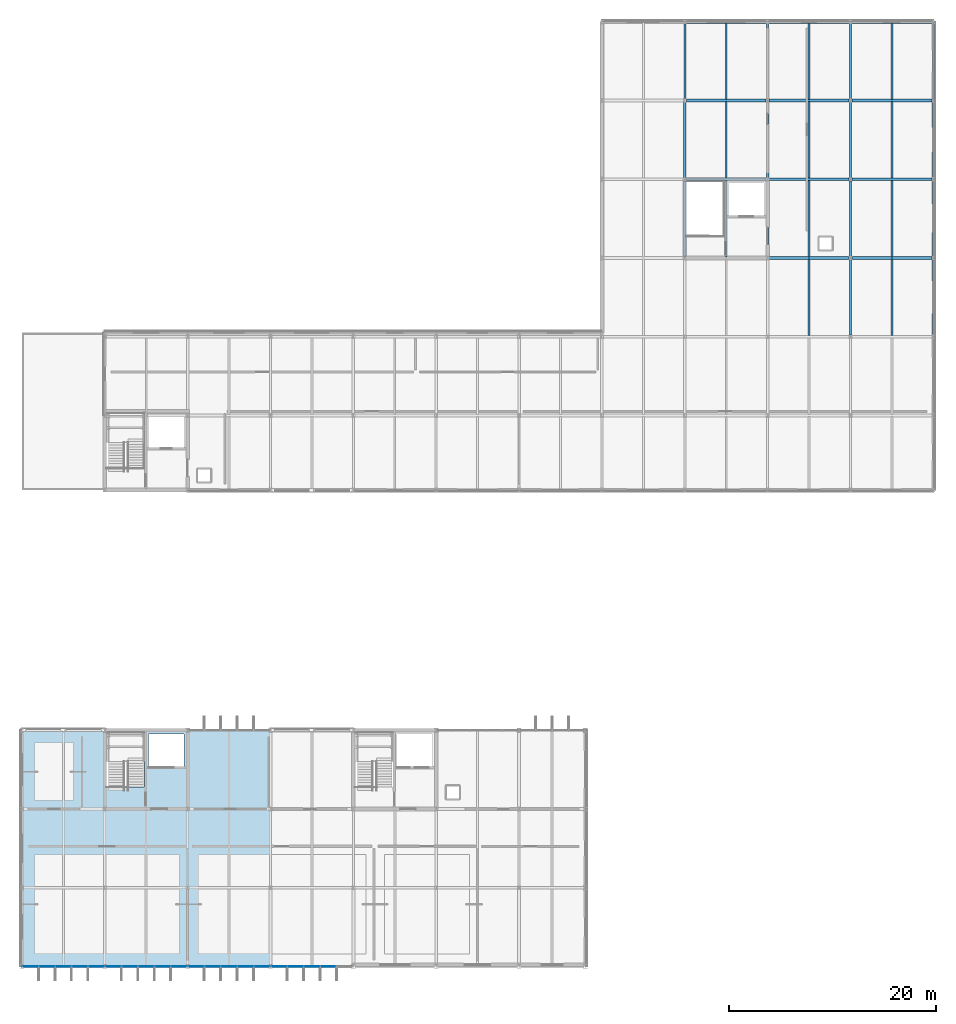
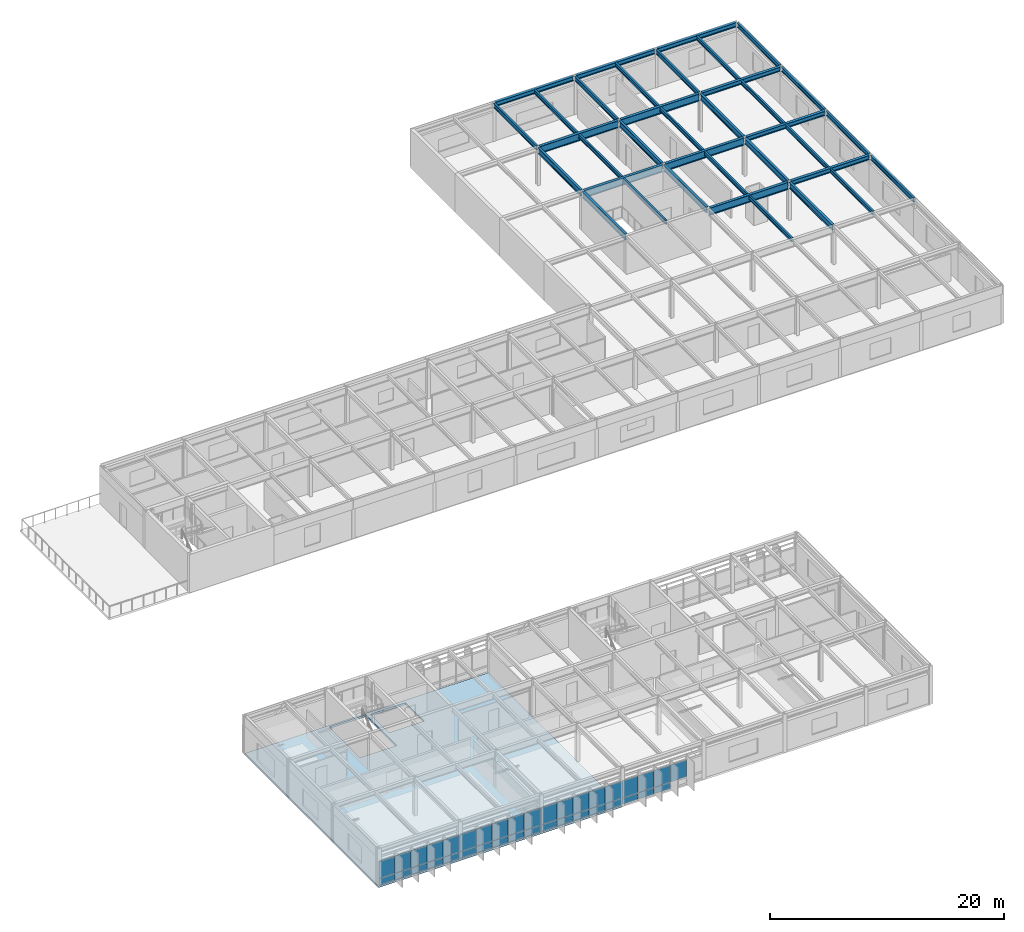
# One storey, part 21 of 33: 37 plates, 36 beams, 1 slab, 4 elements without a shape of their own.
"""IFC4 building model written with IfcOpenShell, lengths in metres."""

from ifc_helpers import new_model, si_unit, direction, frame, origin, origin_2d, place, context, subcontext, project, spatial, polyline, rectangle, i_section, outline, extrude, material, layer, layer_set, material_profile, profile_set, type_object, element, aggregate, save


model = new_model("IFC4")

# Units and contexts
model_context = context("Model", 3, precision=1e-05, world=origin(), true_north=direction((0.0, 1.0)))
body_context = subcontext(model_context, "Body", "Model", "MODEL_VIEW")
ifc_project = project(units=[si_unit("LENGTHUNIT", "METRE"), si_unit("AREAUNIT", "SQUARE_METRE"), si_unit("VOLUMEUNIT", "CUBIC_METRE"), si_unit("PLANEANGLEUNIT", "RADIAN"), si_unit("MASSUNIT", "GRAM", prefix="KILO")], contexts=[model_context])

# Site, building, storey
site_placement = place(None, origin())
site = spatial("IfcSite", under=ifc_project, at=site_placement, CompositionType="ELEMENT")
building_placement = place(site_placement, origin())
building = spatial("IfcBuilding", under=site, at=building_placement, Name="Zulena Civic Courthouse", CompositionType="ELEMENT")
storey_placement = place(building_placement, frame((0.0, 0.0, 33.60009765625)))
storey = spatial("IfcBuildingStorey", under=building, at=storey_placement, Name="L07", CompositionType="ELEMENT", Elevation=33.60009765625)

# Beams
ifc_material_1 = material(Name="Steel ASTM A992 Grade 50", Category="steel")
ifc_material_profile_1 = material_profile(ifc_material_1, i_section(OverallWidth=0.22998046875, OverallDepth=0.616943359375, WebThickness=0.01318359375, FlangeThickness=0.022216796875, FilletRadius=0.0126953125, at=origin_2d()), Name="W24X94")
ifc_profile_set_1 = profile_set([ifc_material_profile_1], Name="Steel ASTM A992 Grade 50")
beam_type_1 = type_object("IfcBeamType", Name="Girder_W24X94", PredefinedType="BEAM", material=ifc_profile_set_1)
for number, where, z_axis, x_axis, name in (
    (1, (76.0, 68.544921875, 3.6865234375), (0.0, 1.0, 0.0), (-1.0, 0.0, 0.0), "beam:Y:V5:L07:76.0:68.4_76.0"),
    (2, (76.0, 76.14501953125, 3.6865234375), (0.0, 1.0, 0.0), (-1.0, 0.0, 0.0), "beam:Y:V5:L07:76.0:76.0_83.6"),
    (3, (84.0, 68.544921875, 3.6865234375), (0.0, 1.0, 0.0), (-1.0, 0.0, 0.0), "beam:Y:V5:L07:84.0:68.4_76.0"),
    (4, (84.0, 76.14501953125, 3.6865234375), (0.0, 1.0, 0.0), (-1.0, 0.0, 0.0), "beam:Y:V5:L07:84.0:76.0_83.6"),
):
    element("IfcBeam", number, at=place(storey_placement, frame(where, z_axis=z_axis, x_axis=x_axis)), inside=storey, type_object=beam_type_1, Name=name, PredefinedType="BEAM", context=body_context, shape_type="SweptSolid", body=[
        extrude(i_section(OverallWidth=0.22998046875, OverallDepth=0.616943359375, WebThickness=0.01318359375, FlangeThickness=0.022216796875, FilletRadius=0.0126953125, at=origin_2d()), origin(), (0.0, 0.0, 1.0), 7.31005859375),
    ])
beam_1_placement = place(storey_placement, frame((92.0, 60.945068359375, 3.6865234375), z_axis=(0.0, 1.0, 0.0), x_axis=(-1.0, 0.0, 0.0)))
element("IfcBeam", 5, at=beam_1_placement, inside=storey, type_object=beam_type_1, Name="beam:Y:V5:L07:92.0:60.8_68.4", PredefinedType="BEAM", context=body_context, shape_type="SweptSolid", body=[
    extrude(i_section(OverallWidth=0.22998046875, OverallDepth=0.616943359375, WebThickness=0.01318359375, FlangeThickness=0.022216796875, FilletRadius=0.0126953125, at=origin_2d()), origin(), (0.0, 0.0, 1.0), 7.309814453125),
])
for number, where, z_axis, x_axis, name in (
    (6, (92.0, 68.544921875, 3.6865234375), (0.0, 1.0, 0.0), (-1.0, 0.0, 0.0), "beam:Y:V5:L07:92.0:68.4_76.0"),
    (7, (92.0, 76.14501953125, 3.6865234375), (0.0, 1.0, 0.0), (-1.0, 0.0, 0.0), "beam:Y:V5:L07:92.0:76.0_83.6"),
):
    element("IfcBeam", number, at=place(storey_placement, frame(where, z_axis=z_axis, x_axis=x_axis)), inside=storey, type_object=beam_type_1, Name=name, PredefinedType="BEAM", context=body_context, shape_type="SweptSolid", body=[
        extrude(i_section(OverallWidth=0.22998046875, OverallDepth=0.616943359375, WebThickness=0.01318359375, FlangeThickness=0.022216796875, FilletRadius=0.0126953125, at=origin_2d()), origin(), (0.0, 0.0, 1.0), 7.31005859375),
    ])
ifc_material_profile_2 = material_profile(ifc_material_1, i_section(OverallWidth=0.26708984375, OverallDepth=0.761962890625, WebThickness=0.014404296875, FlangeThickness=0.021484375, FilletRadius=0.0166015625, at=origin_2d()), Name="W30X116")
ifc_profile_set_2 = profile_set([ifc_material_profile_2], Name="Steel ASTM A992 Grade 50")
beam_type_2 = type_object("IfcBeamType", Name="Girder_W30X116", PredefinedType="BEAM", material=ifc_profile_set_2)
for number, where, z_axis, x_axis, name in (
    (8, (84.14501953125, 68.39990234375, 3.614013671875), (1.0, 0.0, 0.0), (0.0, 1.0, 0.0), "beam:X:V5:L07:68.4:84.0_92.0"),
    (9, (76.14501953125, 76.0, 3.614013671875), (1.0, 0.0, 0.0), (0.0, 1.0, 0.0), "beam:X:V5:L07:76.0:76.0_84.0"),
    (10, (84.14501953125, 76.0, 3.614013671875), (1.0, 0.0, 0.0), (0.0, 1.0, 0.0), "beam:X:V5:L07:76.0:84.0_92.0"),
    (11, (76.14501953125, 83.60009765625, 3.614013671875), (1.0, 0.0, 0.0), (0.0, 1.0, 0.0), "beam:X:V5:L07:83.6:76.0_84.0"),
    (12, (84.14501953125, 83.60009765625, 3.614013671875), (1.0, 0.0, 0.0), (0.0, 1.0, 0.0), "beam:X:V5:L07:83.6:84.0_92.0"),
):
    element("IfcBeam", number, at=place(storey_placement, frame(where, z_axis=z_axis, x_axis=x_axis)), inside=storey, type_object=beam_type_2, Name=name, PredefinedType="BEAM", context=body_context, shape_type="SweptSolid", body=[
        extrude(i_section(OverallWidth=0.26708984375, OverallDepth=0.761962890625, WebThickness=0.014404296875, FlangeThickness=0.021484375, FilletRadius=0.0166015625, at=origin_2d()), origin(), (0.0, 0.0, 1.0), 7.7099609375),
    ])
ifc_material_profile_3 = material_profile(ifc_material_1, i_section(OverallWidth=0.180908203125, OverallDepth=0.4169921875, WebThickness=0.010986328125, FlangeThickness=0.018310546875, FilletRadius=0.01025390625, at=origin_2d()), Name="W16X57")
ifc_profile_set_3 = profile_set([ifc_material_profile_3], Name="Steel ASTM A992 Grade 50")
beam_type_3 = type_object("IfcBeamType", Name="Joist_W16X57", PredefinedType="JOIST", material=ifc_profile_set_3)
for number, where, z_axis, x_axis, name in (
    (13, (80.0, 68.5048828125, 3.786376953125), (0.0, 1.0, 0.0), (-1.0, 0.0, 0.0), "joist:V5:L07:80.00:68.4_76.0"),
    (14, (80.0, 76.10498046875, 3.786376953125), (0.0, 1.0, 0.0), (-1.0, 0.0, 0.0), "joist:V5:L07:80.00:76.0_83.6"),
):
    element("IfcBeam", number, at=place(storey_placement, frame(where, z_axis=z_axis, x_axis=x_axis)), inside=storey, type_object=beam_type_3, Name=name, PredefinedType="JOIST", context=body_context, shape_type="SweptSolid", body=[
        extrude(i_section(OverallWidth=0.180908203125, OverallDepth=0.4169921875, WebThickness=0.010986328125, FlangeThickness=0.018310546875, FilletRadius=0.01025390625, at=origin_2d()), origin(), (0.0, 0.0, 1.0), 7.39013671875),
    ])
for number, where, z_axis, x_axis, name in (
    (15, (80.0, 83.705078125, 3.786376953125), (0.0, 1.0, 0.0), (-1.0, 0.0, 0.0), "joist:V5:L07:80.00:83.6_91.2"),
    (16, (88.0, 60.905029296875, 3.786376953125), (0.0, 1.0, 0.0), (-1.0, 0.0, 0.0), "joist:V5:L07:88.00:60.8_68.4"),
):
    element("IfcBeam", number, at=place(storey_placement, frame(where, z_axis=z_axis, x_axis=x_axis)), inside=storey, type_object=beam_type_3, Name=name, PredefinedType="JOIST", context=body_context, shape_type="SweptSolid", body=[
        extrude(i_section(OverallWidth=0.180908203125, OverallDepth=0.4169921875, WebThickness=0.010986328125, FlangeThickness=0.018310546875, FilletRadius=0.01025390625, at=origin_2d()), origin(), (0.0, 0.0, 1.0), 7.389892578125),
    ])
for number, where, z_axis, x_axis, name in (
    (17, (88.0, 68.5048828125, 3.786376953125), (0.0, 1.0, 0.0), (-1.0, 0.0, 0.0), "joist:V5:L07:88.00:68.4_76.0"),
    (18, (88.0, 76.10498046875, 3.786376953125), (0.0, 1.0, 0.0), (-1.0, 0.0, 0.0), "joist:V5:L07:88.00:76.0_83.6"),
):
    element("IfcBeam", number, at=place(storey_placement, frame(where, z_axis=z_axis, x_axis=x_axis)), inside=storey, type_object=beam_type_3, Name=name, PredefinedType="JOIST", context=body_context, shape_type="SweptSolid", body=[
        extrude(i_section(OverallWidth=0.180908203125, OverallDepth=0.4169921875, WebThickness=0.010986328125, FlangeThickness=0.018310546875, FilletRadius=0.01025390625, at=origin_2d()), origin(), (0.0, 0.0, 1.0), 7.39013671875),
    ])
for number, where, z_axis, x_axis, name in (
    (19, (88.0, 83.705078125, 3.786376953125), (0.0, 1.0, 0.0), (-1.0, 0.0, 0.0), "joist:V5:L07:88.00:83.6_91.2"),
    (20, (96.0, 60.905029296875, 3.786376953125), (0.0, 1.0, 0.0), (-1.0, 0.0, 0.0), "joist:V5:L07:96.00:60.8_68.4"),
):
    element("IfcBeam", number, at=place(storey_placement, frame(where, z_axis=z_axis, x_axis=x_axis)), inside=storey, type_object=beam_type_3, Name=name, PredefinedType="JOIST", context=body_context, shape_type="SweptSolid", body=[
        extrude(i_section(OverallWidth=0.180908203125, OverallDepth=0.4169921875, WebThickness=0.010986328125, FlangeThickness=0.018310546875, FilletRadius=0.01025390625, at=origin_2d()), origin(), (0.0, 0.0, 1.0), 7.389892578125),
    ])
for number, where, z_axis, x_axis, name in (
    (21, (96.0, 68.5048828125, 3.786376953125), (0.0, 1.0, 0.0), (-1.0, 0.0, 0.0), "joist:V5:L07:96.00:68.4_76.0"),
    (22, (96.0, 76.10498046875, 3.786376953125), (0.0, 1.0, 0.0), (-1.0, 0.0, 0.0), "joist:V5:L07:96.00:76.0_83.6"),
):
    element("IfcBeam", number, at=place(storey_placement, frame(where, z_axis=z_axis, x_axis=x_axis)), inside=storey, type_object=beam_type_3, Name=name, PredefinedType="JOIST", context=body_context, shape_type="SweptSolid", body=[
        extrude(i_section(OverallWidth=0.180908203125, OverallDepth=0.4169921875, WebThickness=0.010986328125, FlangeThickness=0.018310546875, FilletRadius=0.01025390625, at=origin_2d()), origin(), (0.0, 0.0, 1.0), 7.39013671875),
    ])
beam_2_placement = place(storey_placement, frame((96.0, 83.705078125, 3.786376953125), z_axis=(0.0, 1.0, 0.0), x_axis=(-1.0, 0.0, 0.0)))
element("IfcBeam", 23, at=beam_2_placement, inside=storey, type_object=beam_type_3, Name="joist:V5:L07:96.00:83.6_91.2", PredefinedType="JOIST", context=body_context, shape_type="SweptSolid", body=[
    extrude(i_section(OverallWidth=0.180908203125, OverallDepth=0.4169921875, WebThickness=0.010986328125, FlangeThickness=0.018310546875, FilletRadius=0.01025390625, at=origin_2d()), origin(), (0.0, 0.0, 1.0), 7.389892578125),
])
ifc_material_profile_4 = material_profile(ifc_material_1, i_section(OverallWidth=0.19091796875, OverallDepth=0.4599609375, WebThickness=0.010009765625, FlangeThickness=0.01611328125, FilletRadius=0.01025390625, at=origin_2d()), Name="W18X55")
ifc_profile_set_4 = profile_set([ifc_material_profile_4], Name="Steel ASTM A992 Grade 50")
beam_type_4 = type_object("IfcBeamType", Name="Spandrel_W18X55", PredefinedType="SPANDREL", material=ifc_profile_set_4)
for number, where, z_axis, x_axis, name in (
    (24, (76.0, 83.7451171875, 3.764892578125), (0.0, 1.0, 0.0), (-1.0, 0.0, 0.0), "beam:Y:V5:L07:76.0:83.6_91.2"),
    (25, (84.0, 83.7451171875, 3.764892578125), (0.0, 1.0, 0.0), (-1.0, 0.0, 0.0), "beam:Y:V5:L07:84.0:83.6_91.2"),
    (26, (92.0, 83.7451171875, 3.764892578125), (0.0, 1.0, 0.0), (-1.0, 0.0, 0.0), "beam:Y:V5:L07:92.0:83.6_91.2"),
    (27, (100.0, 60.945068359375, 3.764892578125), (0.0, 1.0, 0.0), (-1.0, 0.0, 0.0), "beam:Y:V5:L07:100.0:60.8_68.4"),
):
    element("IfcBeam", number, at=place(storey_placement, frame(where, z_axis=z_axis, x_axis=x_axis)), inside=storey, type_object=beam_type_4, Name=name, PredefinedType="SPANDREL", context=body_context, shape_type="SweptSolid", body=[
        extrude(i_section(OverallWidth=0.19091796875, OverallDepth=0.4599609375, WebThickness=0.010009765625, FlangeThickness=0.01611328125, FilletRadius=0.01025390625, at=origin_2d()), origin(), (0.0, 0.0, 1.0), 7.309814453125),
    ])
for number, where, z_axis, x_axis, name in (
    (28, (100.0, 68.544921875, 3.764892578125), (0.0, 1.0, 0.0), (-1.0, 0.0, 0.0), "beam:Y:V5:L07:100.0:68.4_76.0"),
    (29, (100.0, 76.14501953125, 3.764892578125), (0.0, 1.0, 0.0), (-1.0, 0.0, 0.0), "beam:Y:V5:L07:100.0:76.0_83.6"),
):
    element("IfcBeam", number, at=place(storey_placement, frame(where, z_axis=z_axis, x_axis=x_axis)), inside=storey, type_object=beam_type_4, Name=name, PredefinedType="SPANDREL", context=body_context, shape_type="SweptSolid", body=[
        extrude(i_section(OverallWidth=0.19091796875, OverallDepth=0.4599609375, WebThickness=0.010009765625, FlangeThickness=0.01611328125, FilletRadius=0.01025390625, at=origin_2d()), origin(), (0.0, 0.0, 1.0), 7.31005859375),
    ])
beam_3_placement = place(storey_placement, frame((100.0, 83.7451171875, 3.764892578125), z_axis=(0.0, 1.0, 0.0), x_axis=(-1.0, 0.0, 0.0)))
element("IfcBeam", 30, at=beam_3_placement, inside=storey, type_object=beam_type_4, Name="beam:Y:V5:L07:100.0:83.6_91.2", PredefinedType="SPANDREL", context=body_context, shape_type="SweptSolid", body=[
    extrude(i_section(OverallWidth=0.19091796875, OverallDepth=0.4599609375, WebThickness=0.010009765625, FlangeThickness=0.01611328125, FilletRadius=0.01025390625, at=origin_2d()), origin(), (0.0, 0.0, 1.0), 7.309814453125),
])
ifc_material_profile_5 = material_profile(ifc_material_1, i_section(OverallWidth=0.280029296875, OverallDepth=0.462890625, WebThickness=0.0107421875, FlangeThickness=0.017333984375, FilletRadius=0.01025390625, at=origin_2d()), Name="W18X76")
ifc_profile_set_5 = profile_set([ifc_material_profile_5], Name="Steel ASTM A992 Grade 50")
beam_type_5 = type_object("IfcBeamType", Name="Spandrel_W18X76", PredefinedType="SPANDREL", material=ifc_profile_set_5)
for number, where, z_axis, x_axis, name in (
    (31, (92.14501953125, 68.39990234375, 3.763427734375), (1.0, 0.0, 0.0), (0.0, 1.0, 0.0), "beam:X:V5:L07:68.4:92.0_100.0"),
    (32, (92.14501953125, 76.0, 3.763427734375), (1.0, 0.0, 0.0), (0.0, 1.0, 0.0), "beam:X:V5:L07:76.0:92.0_100.0"),
    (33, (92.14501953125, 83.60009765625, 3.763427734375), (1.0, 0.0, 0.0), (0.0, 1.0, 0.0), "beam:X:V5:L07:83.6:92.0_100.0"),
    (34, (76.14501953125, 91.199951171875, 3.763427734375), (1.0, 0.0, 0.0), (0.0, 1.0, 0.0), "beam:X:V5:L07:91.2:76.0_84.0"),
    (35, (84.14501953125, 91.199951171875, 3.763427734375), (1.0, 0.0, 0.0), (0.0, 1.0, 0.0), "beam:X:V5:L07:91.2:84.0_92.0"),
    (36, (92.14501953125, 91.199951171875, 3.763427734375), (1.0, 0.0, 0.0), (0.0, 1.0, 0.0), "beam:X:V5:L07:91.2:92.0_100.0"),
):
    element("IfcBeam", number, at=place(storey_placement, frame(where, z_axis=z_axis, x_axis=x_axis)), inside=storey, type_object=beam_type_5, Name=name, PredefinedType="SPANDREL", context=body_context, shape_type="SweptSolid", body=[
        extrude(i_section(OverallWidth=0.280029296875, OverallDepth=0.462890625, WebThickness=0.0107421875, FlangeThickness=0.017333984375, FilletRadius=0.01025390625, at=origin_2d()), origin(), (0.0, 0.0, 1.0), 7.7099609375),
    ])

# Curtain wall, plates
ifc_material_2 = material(Name="Double-silver low-E laminated solar-control glass", Category="glass")
curtain_wall_type = type_object("IfcCurtainWallType", Name="CW_7940x3090", PredefinedType="USERDEFINED", material=ifc_material_2)
curtain_wall_1_placement = place(storey_placement, origin())
curtain_wall_1 = element("IfcCurtainWall", 37, at=curtain_wall_1_placement, inside=storey, type_object=curtain_wall_type, Name="cw:V2:L07:3:3", ObjectType="UNITISED CURTAIN WALL", PredefinedType="USERDEFINED")
ifc_material_3 = material(Name="Ceramic-fritted insulated spandrel glass", Category="glass")
ifc_layer_1 = layer(ifc_material_3, 0.0458984375)
ifc_layer_set_1 = layer_set([ifc_layer_1], Name="Ceramic-fritted insulated spandrel glass")
plate_type_1 = type_object("IfcPlateType", Name="CWPanel_Spandrel_46", PredefinedType="CURTAIN_PANEL", material=ifc_layer_set_1)
plate_1_placement = place(storey_placement, frame((40.0, 0.0, 0.06982421875), z_axis=(0.0, 0.0, 1.0), x_axis=(-1.0, 0.0, 0.0)))
plate_1 = element("IfcPlate", 38, at=plate_1_placement, type_object=plate_type_1, Name="cw:V2:L07:3:3:panS:2", PredefinedType="CURTAIN_PANEL", context=body_context, shape_type="SweptSolid", body=[
    extrude(rectangle(XDim=1.5380859375, YDim=0.0458984375, at=origin_2d()), origin(), (0.0, 0.0, 1.0), 0.669921875),
])
plate_2_placement = place(storey_placement, frame((38.412109375, 0.0, 0.06982421875), z_axis=(0.0, 0.0, 1.0), x_axis=(-1.0, 0.0, 0.0)))
plate_2 = element("IfcPlate", 39, at=plate_2_placement, type_object=plate_type_1, Name="cw:V2:L07:3:3:panS:3", PredefinedType="CURTAIN_PANEL", context=body_context, shape_type="SweptSolid", body=[
    extrude(rectangle(XDim=1.5380859375, YDim=0.0458984375, at=origin_2d()), origin(), (0.0, 0.0, 1.0), 0.669921875),
])
plate_3_placement = place(storey_placement, frame((36.823974609375, 0.0, 0.06982421875), z_axis=(0.0, 0.0, 1.0), x_axis=(-1.0, 0.0, 0.0)))
plate_3 = element("IfcPlate", 40, at=plate_3_placement, type_object=plate_type_1, Name="cw:V2:L07:3:3:panS:4", PredefinedType="CURTAIN_PANEL", context=body_context, shape_type="SweptSolid", body=[
    extrude(rectangle(XDim=1.5380859375, YDim=0.0458984375, at=origin_2d()), origin(), (0.0, 0.0, 1.0), 0.669921875),
])

curtain_wall_2_placement = place(storey_placement, origin())
curtain_wall_2 = element("IfcCurtainWall", 41, at=curtain_wall_2_placement, inside=storey, type_object=curtain_wall_type, Name="cw:V2:L07:3:4", ObjectType="UNITISED CURTAIN WALL", PredefinedType="USERDEFINED")
plate_4_placement = place(storey_placement, frame((35.176025390625, 0.0, 0.06982421875), z_axis=(0.0, 0.0, 1.0), x_axis=(-1.0, 0.0, 0.0)))
plate_4 = element("IfcPlate", 42, at=plate_4_placement, type_object=plate_type_1, Name="cw:V2:L07:3:4:panS:0", PredefinedType="CURTAIN_PANEL", context=body_context, shape_type="SweptSolid", body=[
    extrude(rectangle(XDim=1.5380859375, YDim=0.0458984375, at=origin_2d()), origin(), (0.0, 0.0, 1.0), 0.669921875),
])
plate_5_placement = place(storey_placement, frame((33.587890625, 0.0, 0.06982421875), z_axis=(0.0, 0.0, 1.0), x_axis=(-1.0, 0.0, 0.0)))
plate_5 = element("IfcPlate", 43, at=plate_5_placement, type_object=plate_type_1, Name="cw:V2:L07:3:4:panS:1", PredefinedType="CURTAIN_PANEL", context=body_context, shape_type="SweptSolid", body=[
    extrude(rectangle(XDim=1.5380859375, YDim=0.0458984375, at=origin_2d()), origin(), (0.0, 0.0, 1.0), 0.669921875),
])
plate_6_placement = place(storey_placement, frame((32.0, 0.0, 0.06982421875), z_axis=(0.0, 0.0, 1.0), x_axis=(-1.0, 0.0, 0.0)))
plate_6 = element("IfcPlate", 44, at=plate_6_placement, type_object=plate_type_1, Name="cw:V2:L07:3:4:panS:2", PredefinedType="CURTAIN_PANEL", context=body_context, shape_type="SweptSolid", body=[
    extrude(rectangle(XDim=1.5380859375, YDim=0.0458984375, at=origin_2d()), origin(), (0.0, 0.0, 1.0), 0.669921875),
])
plate_7_placement = place(storey_placement, frame((30.412109375, 0.0, 0.06982421875), z_axis=(0.0, 0.0, 1.0), x_axis=(-1.0, 0.0, 0.0)))
plate_7 = element("IfcPlate", 45, at=plate_7_placement, type_object=plate_type_1, Name="cw:V2:L07:3:4:panS:3", PredefinedType="CURTAIN_PANEL", context=body_context, shape_type="SweptSolid", body=[
    extrude(rectangle(XDim=1.5380859375, YDim=0.0458984375, at=origin_2d()), origin(), (0.0, 0.0, 1.0), 0.669921875),
])
plate_8_placement = place(storey_placement, frame((28.823974609375, 0.0, 0.06982421875), z_axis=(0.0, 0.0, 1.0), x_axis=(-1.0, 0.0, 0.0)))
plate_8 = element("IfcPlate", 46, at=plate_8_placement, type_object=plate_type_1, Name="cw:V2:L07:3:4:panS:4", PredefinedType="CURTAIN_PANEL", context=body_context, shape_type="SweptSolid", body=[
    extrude(rectangle(XDim=1.5380859375, YDim=0.0458984375, at=origin_2d()), origin(), (0.0, 0.0, 1.0), 0.669921875),
])

curtain_wall_3_placement = place(storey_placement, origin())
curtain_wall_3 = element("IfcCurtainWall", 47, at=curtain_wall_3_placement, inside=storey, type_object=curtain_wall_type, Name="cw:V2:L07:3:5", ObjectType="UNITISED CURTAIN WALL", PredefinedType="USERDEFINED")
plate_9_placement = place(storey_placement, frame((27.176025390625, 0.0, 0.06982421875), z_axis=(0.0, 0.0, 1.0), x_axis=(-1.0, 0.0, 0.0)))
plate_9 = element("IfcPlate", 48, at=plate_9_placement, type_object=plate_type_1, Name="cw:V2:L07:3:5:panS:0", PredefinedType="CURTAIN_PANEL", context=body_context, shape_type="SweptSolid", body=[
    extrude(rectangle(XDim=1.5380859375, YDim=0.0458984375, at=origin_2d()), origin(), (0.0, 0.0, 1.0), 0.669921875),
])
plate_10_placement = place(storey_placement, frame((25.587890625, 0.0, 0.06982421875), z_axis=(0.0, 0.0, 1.0), x_axis=(-1.0, 0.0, 0.0)))
plate_10 = element("IfcPlate", 49, at=plate_10_placement, type_object=plate_type_1, Name="cw:V2:L07:3:5:panS:1", PredefinedType="CURTAIN_PANEL", context=body_context, shape_type="SweptSolid", body=[
    extrude(rectangle(XDim=1.5380859375, YDim=0.0458984375, at=origin_2d()), origin(), (0.0, 0.0, 1.0), 0.669921875),
])
plate_11_placement = place(storey_placement, frame((24.0, 0.0, 0.06982421875), z_axis=(0.0, 0.0, 1.0), x_axis=(-1.0, 0.0, 0.0)))
plate_11 = element("IfcPlate", 50, at=plate_11_placement, type_object=plate_type_1, Name="cw:V2:L07:3:5:panS:2", PredefinedType="CURTAIN_PANEL", context=body_context, shape_type="SweptSolid", body=[
    extrude(rectangle(XDim=1.5380859375, YDim=0.0458984375, at=origin_2d()), origin(), (0.0, 0.0, 1.0), 0.669921875),
])
plate_12_placement = place(storey_placement, frame((22.412109375, 0.0, 0.06982421875), z_axis=(0.0, 0.0, 1.0), x_axis=(-1.0, 0.0, 0.0)))
plate_12 = element("IfcPlate", 51, at=plate_12_placement, type_object=plate_type_1, Name="cw:V2:L07:3:5:panS:3", PredefinedType="CURTAIN_PANEL", context=body_context, shape_type="SweptSolid", body=[
    extrude(rectangle(XDim=1.5380859375, YDim=0.0458984375, at=origin_2d()), origin(), (0.0, 0.0, 1.0), 0.669921875),
])
plate_13_placement = place(storey_placement, frame((20.823974609375, 0.0, 0.06982421875), z_axis=(0.0, 0.0, 1.0), x_axis=(-1.0, 0.0, 0.0)))
plate_13 = element("IfcPlate", 52, at=plate_13_placement, type_object=plate_type_1, Name="cw:V2:L07:3:5:panS:4", PredefinedType="CURTAIN_PANEL", context=body_context, shape_type="SweptSolid", body=[
    extrude(rectangle(XDim=1.5380859375, YDim=0.0458984375, at=origin_2d()), origin(), (0.0, 0.0, 1.0), 0.669921875),
])

curtain_wall_4_placement = place(storey_placement, origin())
curtain_wall_4 = element("IfcCurtainWall", 53, at=curtain_wall_4_placement, inside=storey, type_object=curtain_wall_type, Name="cw:V2:L07:3:6", ObjectType="UNITISED CURTAIN WALL", PredefinedType="USERDEFINED")
plate_14_placement = place(storey_placement, frame((19.176025390625, 0.0, 0.06982421875), z_axis=(0.0, 0.0, 1.0), x_axis=(-1.0, 0.0, 0.0)))
plate_14 = element("IfcPlate", 54, at=plate_14_placement, type_object=plate_type_1, Name="cw:V2:L07:3:6:panS:0", PredefinedType="CURTAIN_PANEL", context=body_context, shape_type="SweptSolid", body=[
    extrude(rectangle(XDim=1.5380859375, YDim=0.0458984375, at=origin_2d()), origin(), (0.0, 0.0, 1.0), 0.669921875),
])
plate_15_placement = place(storey_placement, frame((17.587890625, 0.0, 0.06982421875), z_axis=(0.0, 0.0, 1.0), x_axis=(-1.0, 0.0, 0.0)))
plate_15 = element("IfcPlate", 55, at=plate_15_placement, type_object=plate_type_1, Name="cw:V2:L07:3:6:panS:1", PredefinedType="CURTAIN_PANEL", context=body_context, shape_type="SweptSolid", body=[
    extrude(rectangle(XDim=1.5380859375, YDim=0.0458984375, at=origin_2d()), origin(), (0.0, 0.0, 1.0), 0.669921875),
])
plate_16_placement = place(storey_placement, frame((16.0, 0.0, 0.06982421875), z_axis=(0.0, 0.0, 1.0), x_axis=(-1.0, 0.0, 0.0)))
plate_16 = element("IfcPlate", 56, at=plate_16_placement, type_object=plate_type_1, Name="cw:V2:L07:3:6:panS:2", PredefinedType="CURTAIN_PANEL", context=body_context, shape_type="SweptSolid", body=[
    extrude(rectangle(XDim=1.5380859375, YDim=0.0458984375, at=origin_2d()), origin(), (0.0, 0.0, 1.0), 0.669921875),
])
plate_17_placement = place(storey_placement, frame((14.412109375, 0.0, 0.06982421875), z_axis=(0.0, 0.0, 1.0), x_axis=(-1.0, 0.0, 0.0)))
plate_17 = element("IfcPlate", 57, at=plate_17_placement, type_object=plate_type_1, Name="cw:V2:L07:3:6:panS:3", PredefinedType="CURTAIN_PANEL", context=body_context, shape_type="SweptSolid", body=[
    extrude(rectangle(XDim=1.5380859375, YDim=0.0458984375, at=origin_2d()), origin(), (0.0, 0.0, 1.0), 0.669921875),
])
plate_18_placement = place(storey_placement, frame((12.823974609375, 0.0, 0.06982421875), z_axis=(0.0, 0.0, 1.0), x_axis=(-1.0, 0.0, 0.0)))
plate_18 = element("IfcPlate", 58, at=plate_18_placement, type_object=plate_type_1, Name="cw:V2:L07:3:6:panS:4", PredefinedType="CURTAIN_PANEL", context=body_context, shape_type="SweptSolid", body=[
    extrude(rectangle(XDim=1.5380859375, YDim=0.0458984375, at=origin_2d()), origin(), (0.0, 0.0, 1.0), 0.669921875),
])

# Plate
ifc_layer_2 = layer(ifc_material_2, 0.035888671875)
ifc_layer_set_2 = layer_set([ifc_layer_2], Name="Double-silver low-E laminated solar-control glass")
plate_type_2 = type_object("IfcPlateType", Name="CWPanel_Vision_36", PredefinedType="CURTAIN_PANEL", material=ifc_layer_set_2)
plate_19_placement = place(storey_placement, frame((41.587890625, 0.0, 0.760009765625), z_axis=(0.0, 0.0, 1.0), x_axis=(-1.0, 0.0, 0.0)))
plate_19 = element("IfcPlate", 59, at=plate_19_placement, type_object=plate_type_2, Name="cw:V2:L07:3:3:panV:1", PredefinedType="CURTAIN_PANEL", context=body_context, shape_type="SweptSolid", body=[
    extrude(rectangle(XDim=1.5380859375, YDim=0.035888671875, at=origin_2d()), origin(), (0.0, 0.0, 1.0), 1.77001953125),
])

plate_20_placement = place(storey_placement, frame((40.0, 0.0, 0.760009765625), z_axis=(0.0, 0.0, 1.0), x_axis=(-1.0, 0.0, 0.0)))
plate_20 = element("IfcPlate", 60, at=plate_20_placement, type_object=plate_type_2, Name="cw:V2:L07:3:3:panV:2", PredefinedType="CURTAIN_PANEL", context=body_context, shape_type="SweptSolid", body=[
    extrude(rectangle(XDim=1.5380859375, YDim=0.035888671875, at=origin_2d()), origin(), (0.0, 0.0, 1.0), 1.77001953125),
])

plate_21_placement = place(storey_placement, frame((38.412109375, 0.0, 0.760009765625), z_axis=(0.0, 0.0, 1.0), x_axis=(-1.0, 0.0, 0.0)))
plate_21 = element("IfcPlate", 61, at=plate_21_placement, type_object=plate_type_2, Name="cw:V2:L07:3:3:panV:3", PredefinedType="CURTAIN_PANEL", context=body_context, shape_type="SweptSolid", body=[
    extrude(rectangle(XDim=1.5380859375, YDim=0.035888671875, at=origin_2d()), origin(), (0.0, 0.0, 1.0), 1.77001953125),
])

plate_22_placement = place(storey_placement, frame((36.823974609375, 0.0, 0.760009765625), z_axis=(0.0, 0.0, 1.0), x_axis=(-1.0, 0.0, 0.0)))
plate_22 = element("IfcPlate", 62, at=plate_22_placement, type_object=plate_type_2, Name="cw:V2:L07:3:3:panV:4", PredefinedType="CURTAIN_PANEL", context=body_context, shape_type="SweptSolid", body=[
    extrude(rectangle(XDim=1.5380859375, YDim=0.035888671875, at=origin_2d()), origin(), (0.0, 0.0, 1.0), 1.77001953125),
])

aggregate(curtain_wall_1, [plate_19, plate_20, plate_1, plate_21, plate_2, plate_22, plate_3])

plate_23_placement = place(storey_placement, frame((35.176025390625, 0.0, 0.760009765625), z_axis=(0.0, 0.0, 1.0), x_axis=(-1.0, 0.0, 0.0)))
plate_23 = element("IfcPlate", 63, at=plate_23_placement, type_object=plate_type_2, Name="cw:V2:L07:3:4:panV:0", PredefinedType="CURTAIN_PANEL", context=body_context, shape_type="SweptSolid", body=[
    extrude(rectangle(XDim=1.5380859375, YDim=0.035888671875, at=origin_2d()), origin(), (0.0, 0.0, 1.0), 1.77001953125),
])

plate_24_placement = place(storey_placement, frame((33.587890625, 0.0, 0.760009765625), z_axis=(0.0, 0.0, 1.0), x_axis=(-1.0, 0.0, 0.0)))
plate_24 = element("IfcPlate", 64, at=plate_24_placement, type_object=plate_type_2, Name="cw:V2:L07:3:4:panV:1", PredefinedType="CURTAIN_PANEL", context=body_context, shape_type="SweptSolid", body=[
    extrude(rectangle(XDim=1.5380859375, YDim=0.035888671875, at=origin_2d()), origin(), (0.0, 0.0, 1.0), 1.77001953125),
])

plate_25_placement = place(storey_placement, frame((32.0, 0.0, 0.760009765625), z_axis=(0.0, 0.0, 1.0), x_axis=(-1.0, 0.0, 0.0)))
plate_25 = element("IfcPlate", 65, at=plate_25_placement, type_object=plate_type_2, Name="cw:V2:L07:3:4:panV:2", PredefinedType="CURTAIN_PANEL", context=body_context, shape_type="SweptSolid", body=[
    extrude(rectangle(XDim=1.5380859375, YDim=0.035888671875, at=origin_2d()), origin(), (0.0, 0.0, 1.0), 1.77001953125),
])

plate_26_placement = place(storey_placement, frame((30.412109375, 0.0, 0.760009765625), z_axis=(0.0, 0.0, 1.0), x_axis=(-1.0, 0.0, 0.0)))
plate_26 = element("IfcPlate", 66, at=plate_26_placement, type_object=plate_type_2, Name="cw:V2:L07:3:4:panV:3", PredefinedType="CURTAIN_PANEL", context=body_context, shape_type="SweptSolid", body=[
    extrude(rectangle(XDim=1.5380859375, YDim=0.035888671875, at=origin_2d()), origin(), (0.0, 0.0, 1.0), 1.77001953125),
])

plate_27_placement = place(storey_placement, frame((28.823974609375, 0.0, 0.760009765625), z_axis=(0.0, 0.0, 1.0), x_axis=(-1.0, 0.0, 0.0)))
plate_27 = element("IfcPlate", 67, at=plate_27_placement, type_object=plate_type_2, Name="cw:V2:L07:3:4:panV:4", PredefinedType="CURTAIN_PANEL", context=body_context, shape_type="SweptSolid", body=[
    extrude(rectangle(XDim=1.5380859375, YDim=0.035888671875, at=origin_2d()), origin(), (0.0, 0.0, 1.0), 1.77001953125),
])

aggregate(curtain_wall_2, [plate_23, plate_4, plate_24, plate_5, plate_25, plate_6, plate_26, plate_7, plate_27, plate_8])

plate_28_placement = place(storey_placement, frame((27.176025390625, 0.0, 0.760009765625), z_axis=(0.0, 0.0, 1.0), x_axis=(-1.0, 0.0, 0.0)))
plate_28 = element("IfcPlate", 68, at=plate_28_placement, type_object=plate_type_2, Name="cw:V2:L07:3:5:panV:0", PredefinedType="CURTAIN_PANEL", context=body_context, shape_type="SweptSolid", body=[
    extrude(rectangle(XDim=1.5380859375, YDim=0.035888671875, at=origin_2d()), origin(), (0.0, 0.0, 1.0), 1.77001953125),
])

plate_29_placement = place(storey_placement, frame((25.587890625, 0.0, 0.760009765625), z_axis=(0.0, 0.0, 1.0), x_axis=(-1.0, 0.0, 0.0)))
plate_29 = element("IfcPlate", 69, at=plate_29_placement, type_object=plate_type_2, Name="cw:V2:L07:3:5:panV:1", PredefinedType="CURTAIN_PANEL", context=body_context, shape_type="SweptSolid", body=[
    extrude(rectangle(XDim=1.5380859375, YDim=0.035888671875, at=origin_2d()), origin(), (0.0, 0.0, 1.0), 1.77001953125),
])

plate_30_placement = place(storey_placement, frame((24.0, 0.0, 0.760009765625), z_axis=(0.0, 0.0, 1.0), x_axis=(-1.0, 0.0, 0.0)))
plate_30 = element("IfcPlate", 70, at=plate_30_placement, type_object=plate_type_2, Name="cw:V2:L07:3:5:panV:2", PredefinedType="CURTAIN_PANEL", context=body_context, shape_type="SweptSolid", body=[
    extrude(rectangle(XDim=1.5380859375, YDim=0.035888671875, at=origin_2d()), origin(), (0.0, 0.0, 1.0), 1.77001953125),
])

plate_31_placement = place(storey_placement, frame((22.412109375, 0.0, 0.760009765625), z_axis=(0.0, 0.0, 1.0), x_axis=(-1.0, 0.0, 0.0)))
plate_31 = element("IfcPlate", 71, at=plate_31_placement, type_object=plate_type_2, Name="cw:V2:L07:3:5:panV:3", PredefinedType="CURTAIN_PANEL", context=body_context, shape_type="SweptSolid", body=[
    extrude(rectangle(XDim=1.5380859375, YDim=0.035888671875, at=origin_2d()), origin(), (0.0, 0.0, 1.0), 1.77001953125),
])

plate_32_placement = place(storey_placement, frame((20.823974609375, 0.0, 0.760009765625), z_axis=(0.0, 0.0, 1.0), x_axis=(-1.0, 0.0, 0.0)))
plate_32 = element("IfcPlate", 72, at=plate_32_placement, type_object=plate_type_2, Name="cw:V2:L07:3:5:panV:4", PredefinedType="CURTAIN_PANEL", context=body_context, shape_type="SweptSolid", body=[
    extrude(rectangle(XDim=1.5380859375, YDim=0.035888671875, at=origin_2d()), origin(), (0.0, 0.0, 1.0), 1.77001953125),
])

aggregate(curtain_wall_3, [plate_28, plate_9, plate_29, plate_10, plate_30, plate_11, plate_31, plate_12, plate_32, plate_13])

plate_33_placement = place(storey_placement, frame((19.176025390625, 0.0, 0.760009765625), z_axis=(0.0, 0.0, 1.0), x_axis=(-1.0, 0.0, 0.0)))
plate_33 = element("IfcPlate", 73, at=plate_33_placement, type_object=plate_type_2, Name="cw:V2:L07:3:6:panV:0", PredefinedType="CURTAIN_PANEL", context=body_context, shape_type="SweptSolid", body=[
    extrude(rectangle(XDim=1.5380859375, YDim=0.035888671875, at=origin_2d()), origin(), (0.0, 0.0, 1.0), 1.77001953125),
])

plate_34_placement = place(storey_placement, frame((17.587890625, 0.0, 0.760009765625), z_axis=(0.0, 0.0, 1.0), x_axis=(-1.0, 0.0, 0.0)))
plate_34 = element("IfcPlate", 74, at=plate_34_placement, type_object=plate_type_2, Name="cw:V2:L07:3:6:panV:1", PredefinedType="CURTAIN_PANEL", context=body_context, shape_type="SweptSolid", body=[
    extrude(rectangle(XDim=1.5380859375, YDim=0.035888671875, at=origin_2d()), origin(), (0.0, 0.0, 1.0), 1.77001953125),
])

plate_35_placement = place(storey_placement, frame((16.0, 0.0, 0.760009765625), z_axis=(0.0, 0.0, 1.0), x_axis=(-1.0, 0.0, 0.0)))
plate_35 = element("IfcPlate", 75, at=plate_35_placement, type_object=plate_type_2, Name="cw:V2:L07:3:6:panV:2", PredefinedType="CURTAIN_PANEL", context=body_context, shape_type="SweptSolid", body=[
    extrude(rectangle(XDim=1.5380859375, YDim=0.035888671875, at=origin_2d()), origin(), (0.0, 0.0, 1.0), 1.77001953125),
])

plate_36_placement = place(storey_placement, frame((14.412109375, 0.0, 0.760009765625), z_axis=(0.0, 0.0, 1.0), x_axis=(-1.0, 0.0, 0.0)))
plate_36 = element("IfcPlate", 76, at=plate_36_placement, type_object=plate_type_2, Name="cw:V2:L07:3:6:panV:3", PredefinedType="CURTAIN_PANEL", context=body_context, shape_type="SweptSolid", body=[
    extrude(rectangle(XDim=1.5380859375, YDim=0.035888671875, at=origin_2d()), origin(), (0.0, 0.0, 1.0), 1.77001953125),
])

plate_37_placement = place(storey_placement, frame((12.823974609375, 0.0, 0.760009765625), z_axis=(0.0, 0.0, 1.0), x_axis=(-1.0, 0.0, 0.0)))
plate_37 = element("IfcPlate", 77, at=plate_37_placement, type_object=plate_type_2, Name="cw:V2:L07:3:6:panV:4", PredefinedType="CURTAIN_PANEL", context=body_context, shape_type="SweptSolid", body=[
    extrude(rectangle(XDim=1.5380859375, YDim=0.035888671875, at=origin_2d()), origin(), (0.0, 0.0, 1.0), 1.77001953125),
])

aggregate(curtain_wall_4, [plate_33, plate_14, plate_34, plate_15, plate_35, plate_16, plate_36, plate_17, plate_37, plate_18])

# Slab
ifc_material_4 = material(Name="Concrete C35/45", Category="concrete")
ifc_layer_3 = layer(ifc_material_4, 0.199951171875)
ifc_layer_set_3 = layer_set([ifc_layer_3], Name="Concrete C35/45")
slab_type = type_object("IfcSlabType", Name="FloorSlab_200", PredefinedType="FLOOR", material=ifc_layer_set_3)
slab_placement = place(storey_placement, frame((0.0, 0.0, -0.2001953125)))
element("IfcSlab", 78, at=slab_placement, inside=storey, type_object=slab_type, Name="slab:V2:L07_1", PredefinedType="FLOOR", context=body_context, shape_type="SweptSolid", body=[
    extrude(outline(polyline([(36.0, 22.800048828125), (36.0, 0.0), (12.0, 0.0), (12.0, 22.800048828125), (36.0, 22.800048828125)]), holes=[polyline([(23.81005859375, 22.610107421875), (20.18994140625, 22.610107421875), (20.18994140625, 17.320068359375), (23.81005859375, 17.320068359375), (23.81005859375, 22.610107421875)]), polyline([(27.64990234375, 19.300048828125), (27.64990234375, 22.449951171875), (24.199951171875, 22.449951171875), (24.199951171875, 19.300048828125), (27.64990234375, 19.300048828125)])]), origin(), (0.0, 0.0, 1.0), 0.2001953125),
])

save(model, "model.ifc")
